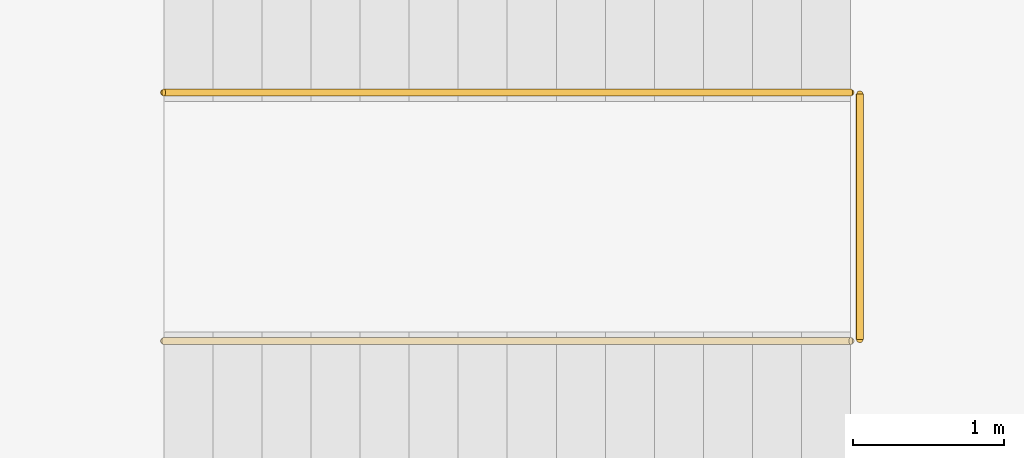
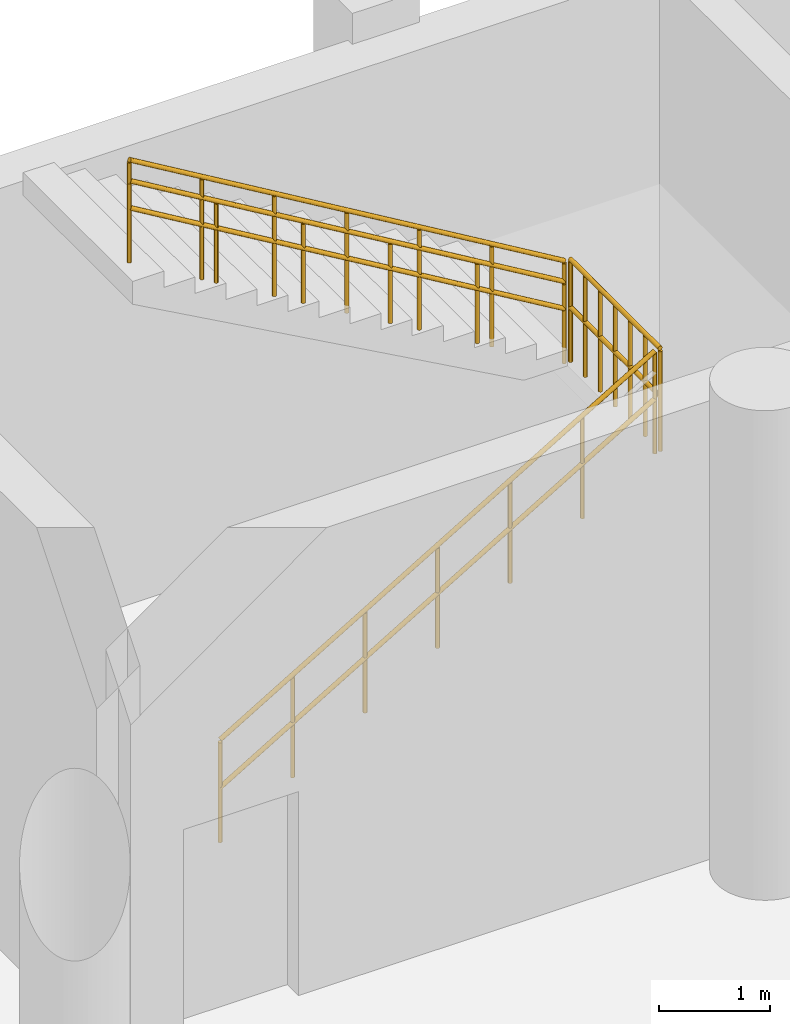
# One storey, part 52 of 58: 4 railings.
"""IFC4 building model written with IfcOpenShell, lengths in metres."""

from ifc_helpers import new_model, si_unit, direction, frame, origin, origin_2d, place, context, subcontext, project, spatial, circle, extrude, material, type_object, element, save


model = new_model("IFC4")

# Units and contexts
model_context = context("Model", 3, precision=1e-05, world=origin(), true_north=direction((0.0, 1.0)))
body_context = subcontext(model_context, "Body", "Model", "MODEL_VIEW")
ifc_project = project(units=[si_unit("LENGTHUNIT", "METRE"), si_unit("AREAUNIT", "SQUARE_METRE"), si_unit("VOLUMEUNIT", "CUBIC_METRE"), si_unit("PLANEANGLEUNIT", "RADIAN"), si_unit("MASSUNIT", "GRAM", prefix="KILO")], contexts=[model_context])

# Site, building, storey
site_placement = place(None, origin())
site = spatial("IfcSite", under=ifc_project, at=site_placement, CompositionType="ELEMENT")
building_placement = place(site_placement, origin())
building = spatial("IfcBuilding", under=site, at=building_placement, Name="Qandorah Velis Arena", CompositionType="ELEMENT")
storey_placement = place(building_placement, origin())
storey = spatial("IfcBuildingStorey", under=building, at=storey_placement, Name="L00", CompositionType="ELEMENT", Elevation=0.0)

# Railings
ifc_material = material(Name="Stainless steel 316", Category="steel")
railing_type_1 = type_object("IfcRailingType", Name="ARC-RL-GRD1150", PredefinedType="GUARDRAIL", material=ifc_material)
railing_1_placement = place(storey_placement, frame((101.345947265625, 125.239990234375, 2.699951171875)))
element("IfcRailing", 1, at=railing_1_placement, inside=storey, type_object=railing_type_1, Name="Stair ST12 well guardrail (L00)", PredefinedType="GUARDRAIL", context=body_context, shape_type="SweptSolid", body=[
    extrude(circle(Radius=0.02392578125, at=origin_2d()), frame((0.0, 0.0, 1.1259765625), z_axis=(0.0, 1.0, 0.0), x_axis=(-1.0, 0.0, 0.0)), (0.0, 0.0, 1.0), 1.6201171875),
    extrude(circle(Radius=0.02392578125, at=origin_2d()), frame((0.0, 0.0, 0.597900390625), z_axis=(0.0, 1.0, 0.0), x_axis=(-1.0, 0.0, 0.0)), (0.0, 0.0, 1.0), 1.6201171875),
    extrude(circle(Radius=0.02099609375, at=origin_2d()), origin(), (0.0, 0.0, 1.0), 1.101806640625),
    extrude(circle(Radius=0.02099609375, at=origin_2d()), frame((0.0, 0.27001953125, 0.0)), (0.0, 0.0, 1.0), 1.101806640625),
    extrude(circle(Radius=0.02099609375, at=origin_2d()), frame((0.0, 0.5400390625, 0.0)), (0.0, 0.0, 1.0), 1.101806640625),
    extrude(circle(Radius=0.02099609375, at=origin_2d()), frame((0.0, 0.81005859375, 0.0)), (0.0, 0.0, 1.0), 1.101806640625),
    extrude(circle(Radius=0.02099609375, at=origin_2d()), frame((0.0, 1.080078125, 0.0)), (0.0, 0.0, 1.0), 1.101806640625),
    extrude(circle(Radius=0.02099609375, at=origin_2d()), frame((0.0, 1.35009765625, 0.0)), (0.0, 0.0, 1.0), 1.101806640625),
    extrude(circle(Radius=0.02099609375, at=origin_2d()), frame((0.0, 1.6201171875, 0.0)), (0.0, 0.0, 1.0), 1.101806640625),
])
railing_2_placement = place(storey_placement, frame((96.75, 125.22998046875, 0.0)))
element("IfcRailing", 2, at=railing_2_placement, inside=storey, type_object=railing_type_1, Name="Stair ST12 inner flight 1 guardrail (L00)", PredefinedType="GUARDRAIL", context=body_context, shape_type="SweptSolid", body=[
    extrude(circle(Radius=0.02392578125, at=origin_2d()), frame((0.0, 0.0, 1.1259765625), z_axis=(0.859291432417, 0.0, 0.511486299107), x_axis=(0.0, 1.0, 0.0)), (0.0, 0.0, 1.0), 5.278564453125),
    extrude(circle(Radius=0.02392578125, at=origin_2d()), frame((0.0, 0.0, 0.597900390625), z_axis=(0.859291432417, 0.0, 0.511486299107), x_axis=(0.0, 1.0, 0.0)), (0.0, 0.0, 1.0), 5.278564453125),
    extrude(circle(Radius=0.02099609375, at=origin_2d()), origin(), (0.0, 0.0, 1.0), 1.101806640625),
    extrude(circle(Radius=0.02099609375, at=origin_2d()), frame((0.755859375, 0.0, 0.449951171875)), (0.0, 0.0, 1.0), 1.101806640625),
    extrude(circle(Radius=0.02099609375, at=origin_2d()), frame((1.511962890625, 0.0, 0.89990234375)), (0.0, 0.0, 1.0), 1.101806640625),
    extrude(circle(Radius=0.02099609375, at=origin_2d()), frame((2.26806640625, 0.0, 1.35009765625)), (0.0, 0.0, 1.0), 1.101806640625),
    extrude(circle(Radius=0.02099609375, at=origin_2d()), frame((3.02392578125, 0.0, 1.800048828125)), (0.0, 0.0, 1.0), 1.101806640625),
    extrude(circle(Radius=0.02099609375, at=origin_2d()), frame((3.77978515625, 0.0, 2.25)), (0.0, 0.0, 1.0), 1.101806640625),
    extrude(circle(Radius=0.02099609375, at=origin_2d()), frame((4.535888671875, 0.0, 2.699951171875)), (0.0, 0.0, 1.0), 1.101806640625),
])
railing_3_placement = place(storey_placement, frame((101.285888671875, 126.8701171875, 2.699951171875)))
element("IfcRailing", 3, at=railing_3_placement, inside=storey, type_object=railing_type_1, Name="Stair ST12 inner flight 2 guardrail (L00)", PredefinedType="GUARDRAIL", context=body_context, shape_type="SweptSolid", body=[
    extrude(circle(Radius=0.02392578125, at=origin_2d()), frame((0.0, 0.0, 1.1259765625), z_axis=(-0.859291432417, 0.0, 0.511486299107), x_axis=(0.0, -1.0, 0.0)), (0.0, 0.0, 1.0), 5.278564453125),
    extrude(circle(Radius=0.02392578125, at=origin_2d()), frame((0.0, 0.0, 0.597900390625), z_axis=(-0.859291432417, 0.0, 0.511486299107), x_axis=(0.0, -1.0, 0.0)), (0.0, 0.0, 1.0), 5.278564453125),
    extrude(circle(Radius=0.02099609375, at=origin_2d()), origin(), (0.0, 0.0, 1.0), 1.101806640625),
    extrude(circle(Radius=0.02099609375, at=origin_2d()), frame((-0.755859375, 0.0, 0.449951171875)), (0.0, 0.0, 1.0), 1.101806640625),
    extrude(circle(Radius=0.02099609375, at=origin_2d()), frame((-1.511962890625, 0.0, 0.89990234375)), (0.0, 0.0, 1.0), 1.101806640625),
    extrude(circle(Radius=0.02099609375, at=origin_2d()), frame((-2.26806640625, 0.0, 1.35009765625)), (0.0, 0.0, 1.0), 1.101806640625),
    extrude(circle(Radius=0.02099609375, at=origin_2d()), frame((-3.02392578125, 0.0, 1.800048828125)), (0.0, 0.0, 1.0), 1.101806640625),
    extrude(circle(Radius=0.02099609375, at=origin_2d()), frame((-3.77978515625, 0.0, 2.25)), (0.0, 0.0, 1.0), 1.101806640625),
    extrude(circle(Radius=0.02099609375, at=origin_2d()), frame((-4.535888671875, 0.0, 2.699951171875)), (0.0, 0.0, 1.0), 1.101806640625),
])
railing_type_2 = type_object("IfcRailingType", Name="ARC-RL-HND920", PredefinedType="HANDRAIL", material=ifc_material)
railing_4_placement = place(storey_placement, frame((101.285888671875, 126.8701171875, 2.699951171875)))
element("IfcRailing", 4, at=railing_4_placement, inside=storey, type_object=railing_type_2, Name="Stair ST12 inner handrail 2 (L00)", PredefinedType="HANDRAIL", context=body_context, shape_type="SweptSolid", body=[
    extrude(circle(Radius=0.02392578125, at=origin_2d()), frame((0.0, 0.0, 0.89599609375), z_axis=(-0.859291432417, 0.0, 0.511486299107), x_axis=(0.0, -1.0, 0.0)), (0.0, 0.0, 1.0), 5.278564453125),
    extrude(circle(Radius=0.02099609375, at=origin_2d()), origin(), (0.0, 0.0, 1.0), 0.871826171875),
    extrude(circle(Radius=0.02099609375, at=origin_2d()), frame((-0.9072265625, 0.0, 0.5400390625)), (0.0, 0.0, 1.0), 0.871826171875),
    extrude(circle(Radius=0.02099609375, at=origin_2d()), frame((-1.814453125, 0.0, 1.080078125)), (0.0, 0.0, 1.0), 0.871826171875),
    extrude(circle(Radius=0.02099609375, at=origin_2d()), frame((-2.721435546875, 0.0, 1.619873046875)), (0.0, 0.0, 1.0), 0.871826171875),
    extrude(circle(Radius=0.02099609375, at=origin_2d()), frame((-3.628662109375, 0.0, 2.159912109375)), (0.0, 0.0, 1.0), 0.871826171875),
    extrude(circle(Radius=0.02099609375, at=origin_2d()), frame((-4.535888671875, 0.0, 2.699951171875)), (0.0, 0.0, 1.0), 0.871826171875),
])

save(model, "model.ifc")
